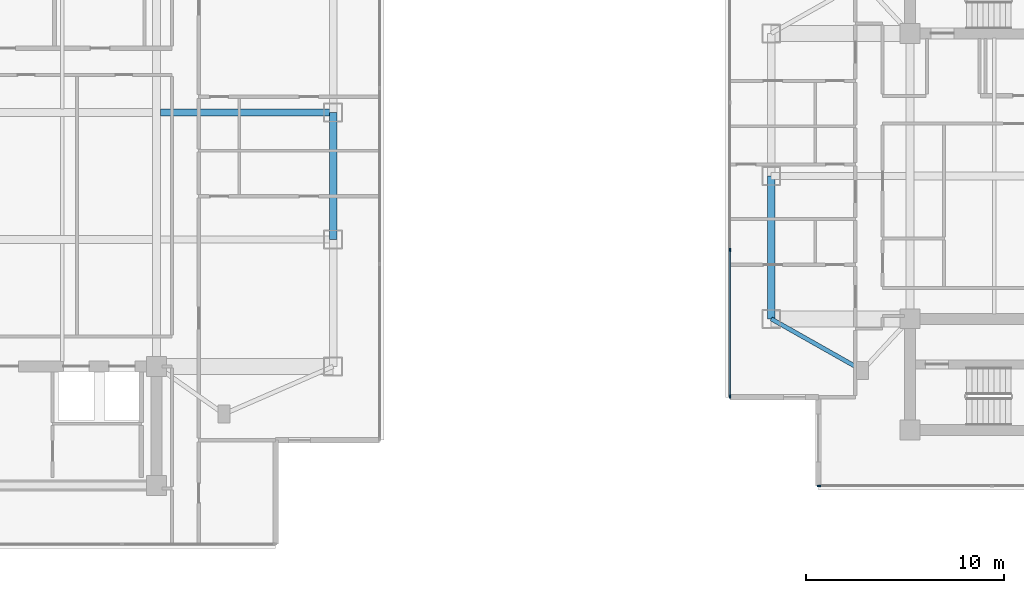
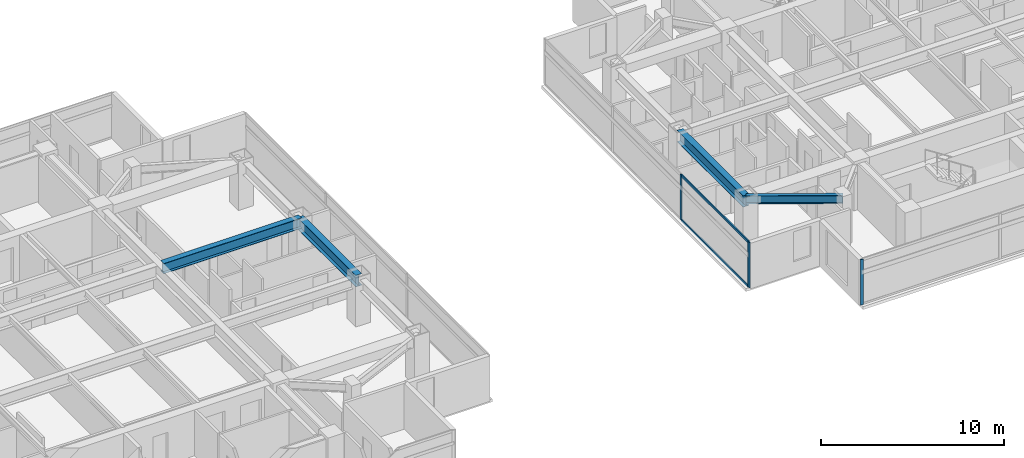
# One storey, part 5 of 24: 5 members, 4 beams, 2 elements without a shape of their own.
"""IFC4 building model written with IfcOpenShell, lengths in metres."""

from ifc_helpers import new_model, si_unit, direction, frame, origin, origin_2d, place, context, subcontext, project, spatial, rectangle, i_section, extrude, material, material_profile, profile_set, type_object, element, aggregate, save


model = new_model("IFC4")

# Units and contexts
model_context = context("Model", 3, precision=1e-05, world=origin(), true_north=direction((0.0, 1.0)))
body_context = subcontext(model_context, "Body", "Model", "MODEL_VIEW")
ifc_project = project(units=[si_unit("LENGTHUNIT", "METRE"), si_unit("AREAUNIT", "SQUARE_METRE"), si_unit("VOLUMEUNIT", "CUBIC_METRE"), si_unit("PLANEANGLEUNIT", "RADIAN"), si_unit("MASSUNIT", "GRAM", prefix="KILO")], contexts=[model_context])

# Site, building, storey
site_placement = place(None, origin())
site = spatial("IfcSite", under=ifc_project, at=site_placement, CompositionType="ELEMENT")
building_placement = place(site_placement, origin())
building = spatial("IfcBuilding", under=site, at=building_placement, Name="Mirazonda Arch Towers", CompositionType="ELEMENT")
storey_placement = place(building_placement, frame((0.0, 0.0, 167.39990234375)))
storey = spatial("IfcBuildingStorey", under=building, at=storey_placement, Name="L47", CompositionType="ELEMENT", Elevation=167.39990234375)

# Beams
ifc_material_1 = material(Name="Steel ASTM A992 Grade 50", Category="steel")
ifc_material_profile_1 = material_profile(ifc_material_1, i_section(OverallWidth=0.381103515625, OverallDepth=0.77294921875, WebThickness=0.0166015625, FlangeThickness=0.027099609375, at=origin_2d()), Name="W30X173")
ifc_profile_set_1 = profile_set([ifc_material_profile_1], Name="Steel ASTM A992 Grade 50")
beam_type_1 = type_object("IfcBeamType", Name="BM-EXT-W30X173", PredefinedType="USERDEFINED", material=ifc_profile_set_1)
beam_1_placement = place(storey_placement, frame((38.89990234375, 24.800048828125, 2.66357421875), z_axis=(0.0, 1.0, 0.0), x_axis=(-1.0, 0.0, 0.0)))
element("IfcBeam", 1, at=beam_1_placement, inside=storey, type_object=beam_type_1, Name="L47 Floor Beam BM-T1-L47-NS-E-24", ObjectType="GIRDER", PredefinedType="USERDEFINED", context=body_context, shape_type="SweptSolid", body=[
    extrude(i_section(OverallWidth=0.381103515625, OverallDepth=0.77294921875, WebThickness=0.0166015625, FlangeThickness=0.027099609375, at=origin_2d()), origin(), (0.0, 0.0, 1.0), 6.39990234375),
])
beam_2_placement = place(storey_placement, frame((61.0, 20.800048828125, 2.66357421875), z_axis=(0.0, 1.0, 0.0), x_axis=(-1.0, 0.0, 0.0)))
element("IfcBeam", 2, at=beam_2_placement, inside=storey, type_object=beam_type_1, Name="L47 Floor Beam BM-T2-L47-NS-W-20", ObjectType="GIRDER", PredefinedType="USERDEFINED", context=body_context, shape_type="SweptSolid", body=[
    extrude(i_section(OverallWidth=0.381103515625, OverallDepth=0.77294921875, WebThickness=0.0166015625, FlangeThickness=0.027099609375, at=origin_2d()), origin(), (0.0, 0.0, 1.0), 7.199951171875),
])
ifc_material_profile_2 = material_profile(ifc_material_1, i_section(OverallWidth=0.214111328125, OverallDepth=0.549072265625, WebThickness=0.0146484375, FlangeThickness=0.023681640625, at=origin_2d()), Name="W21X93")
ifc_profile_set_2 = profile_set([ifc_material_profile_2], Name="Steel ASTM A992 Grade 50")
beam_type_2 = type_object("IfcBeamType", Name="BM-INT-W21X93", PredefinedType="BEAM", material=ifc_profile_set_2)
beam_3_placement = place(storey_placement, frame((65.60009765625, 18.199951171875, 2.775634765625), z_axis=(-0.870559396632, 0.492063346467, 0.0), x_axis=(-0.492063346467, -0.870559396632, 0.0)))
element("IfcBeam", 3, at=beam_3_placement, inside=storey, type_object=beam_type_2, Name="L47 Floor Beam BM-T2-L47-PL-SW2", PredefinedType="BEAM", context=body_context, shape_type="SweptSolid", body=[
    extrude(i_section(OverallWidth=0.214111328125, OverallDepth=0.549072265625, WebThickness=0.0146484375, FlangeThickness=0.023681640625, at=origin_2d()), origin(), (0.0, 0.0, 1.0), 5.2841796875),
])
ifc_material_profile_3 = material_profile(ifc_material_1, i_section(OverallWidth=0.35498046875, OverallDepth=0.696044921875, WebThickness=0.015380859375, FlangeThickness=0.02490234375, at=origin_2d()), Name="W27X146")
ifc_profile_set_3 = profile_set([ifc_material_profile_3], Name="Steel ASTM A992 Grade 50")
beam_type_3 = type_object("IfcBeamType", Name="BM-INT-W27X146", PredefinedType="BEAM", material=ifc_profile_set_3)
beam_4_placement = place(storey_placement, frame((30.199951171875, 31.199951171875, 2.7021484375), z_axis=(1.0, 0.0, 0.0), x_axis=(0.0, 1.0, 0.0)))
element("IfcBeam", 4, at=beam_4_placement, inside=storey, type_object=beam_type_3, Name="L47 Floor Beam BM-T1-L47-GE3", PredefinedType="BEAM", context=body_context, shape_type="SweptSolid", body=[
    extrude(i_section(OverallWidth=0.35498046875, OverallDepth=0.696044921875, WebThickness=0.015380859375, FlangeThickness=0.02490234375, at=origin_2d()), origin(), (0.0, 0.0, 1.0), 8.699951171875),
])

# Curtain wall, member
ifc_material_2 = material(Name="Anodised Aluminium and Low-E Glass", Category="aluminium")
curtain_wall_type = type_object("IfcCurtainWallType", Name="CW-RES-UNIT", PredefinedType="NOTDEFINED", material=ifc_material_2)
curtain_wall_1_placement = place(storey_placement, origin())
curtain_wall_1 = element("IfcCurtainWall", 5, at=curtain_wall_1_placement, inside=storey, type_object=curtain_wall_type, Name="L47 T2 S Facade CW-L47-T2-S", PredefinedType="NOTDEFINED")
ifc_material_3 = material(Name="Anodised Aluminium Alloy", Category="aluminium")
ifc_material_profile_4 = material_profile(ifc_material_3, rectangle(XDim=0.074951171875, YDim=0.175048828125, at=origin_2d()), Name="ALU-MULL-75x175")
ifc_profile_set_4 = profile_set([ifc_material_profile_4], Name="Anodised Aluminium Alloy")
member_type_1 = type_object("IfcMemberType", Name="MULL-CW-RES-UNIT", PredefinedType="MULLION", material=ifc_profile_set_4)
member_1_placement = place(storey_placement, frame((63.418212890625, 12.375244140625, 0.0), z_axis=(0.0, 0.0, 1.0), x_axis=(0.0, -1.0, 0.0)))
member_1 = element("IfcMember", 6, at=member_1_placement, type_object=member_type_1, Name="CW-104 mullion 4", PredefinedType="MULLION", context=body_context, shape_type="SweptSolid", body=[
    extrude(rectangle(XDim=0.074951171875, YDim=0.175048828125, at=origin_2d()), origin(), (0.0, 0.0, 1.0), 3.030029296875),
])
aggregate(curtain_wall_1, [member_1])

# Curtain wall, members
curtain_wall_2_placement = place(storey_placement, origin())
curtain_wall_2 = element("IfcCurtainWall", 7, at=curtain_wall_2_placement, inside=storey, type_object=curtain_wall_type, Name="L47 T2 W Facade CW-L47-T2-W", PredefinedType="NOTDEFINED")
member_2_placement = place(storey_placement, frame((58.91552734375, 24.2802734375, 0.0), z_axis=(0.0, 0.0, 1.0), x_axis=(1.0, 0.0, 0.0)))
member_2 = element("IfcMember", 8, at=member_2_placement, type_object=member_type_1, Name="CW-104 mullion 3", PredefinedType="MULLION", context=body_context, shape_type="SweptSolid", body=[
    extrude(rectangle(XDim=0.074951171875, YDim=0.175048828125, at=origin_2d()), origin(), (0.0, 0.0, 1.0), 3.030029296875),
])
member_3_placement = place(storey_placement, frame((58.91552734375, 16.8779296875, 0.0), z_axis=(0.0, 0.0, 1.0), x_axis=(1.0, 0.0, 0.0)))
member_3 = element("IfcMember", 9, at=member_3_placement, type_object=member_type_1, Name="CW-104 mullion 4", PredefinedType="MULLION", context=body_context, shape_type="SweptSolid", body=[
    extrude(rectangle(XDim=0.074951171875, YDim=0.175048828125, at=origin_2d()), origin(), (0.0, 0.0, 1.0), 3.030029296875),
])
ifc_material_profile_5 = material_profile(ifc_material_3, rectangle(XDim=0.074951171875, YDim=0.155029296875, at=origin_2d()), Name="ALU-TRAN-75x155")
ifc_profile_set_5 = profile_set([ifc_material_profile_5], Name="Anodised Aluminium Alloy")
member_type_2 = type_object("IfcMemberType", Name="TRAN-CW-RES-UNIT", PredefinedType="USERDEFINED", material=ifc_profile_set_5)
member_4_placement = place(storey_placement, frame((58.91552734375, 24.24267578125, 0.03759765625), z_axis=(0.0, -1.0, 0.0), x_axis=(1.0, 0.0, 0.0)))
member_4 = element("IfcMember", 10, at=member_4_placement, type_object=member_type_2, Name="CW-104 transom 3.1", ObjectType="TRANSOM", PredefinedType="USERDEFINED", context=body_context, shape_type="SweptSolid", body=[
    extrude(rectangle(XDim=0.074951171875, YDim=0.155029296875, at=origin_2d()), origin(), (0.0, 0.0, 1.0), 7.3271484375),
])
member_5_placement = place(storey_placement, frame((58.91552734375, 24.24267578125, 2.99267578125), z_axis=(0.0, -1.0, 0.0), x_axis=(1.0, 0.0, 0.0)))
member_5 = element("IfcMember", 11, at=member_5_placement, type_object=member_type_2, Name="CW-104 transom 3.2", ObjectType="TRANSOM", PredefinedType="USERDEFINED", context=body_context, shape_type="SweptSolid", body=[
    extrude(rectangle(XDim=0.074951171875, YDim=0.155029296875, at=origin_2d()), origin(), (0.0, 0.0, 1.0), 7.3271484375),
])
aggregate(curtain_wall_2, [member_2, member_3, member_4, member_5])

save(model, "model.ifc")
